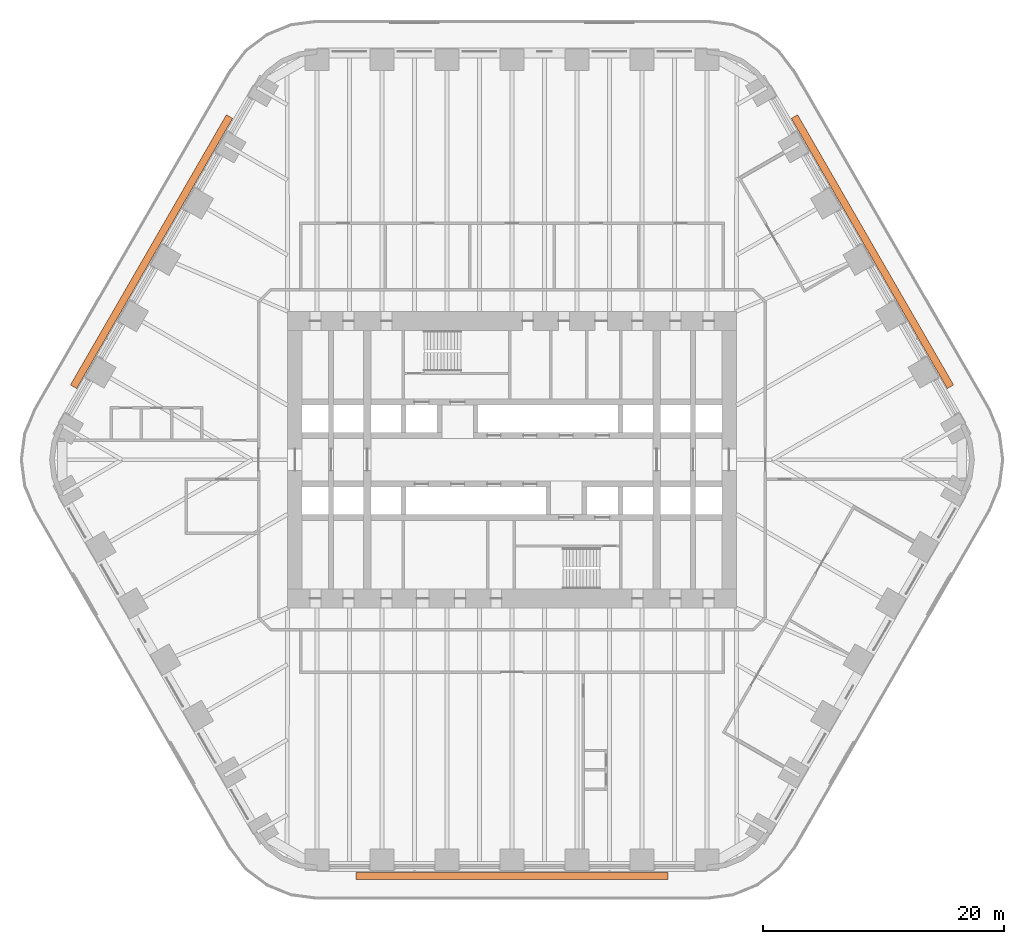
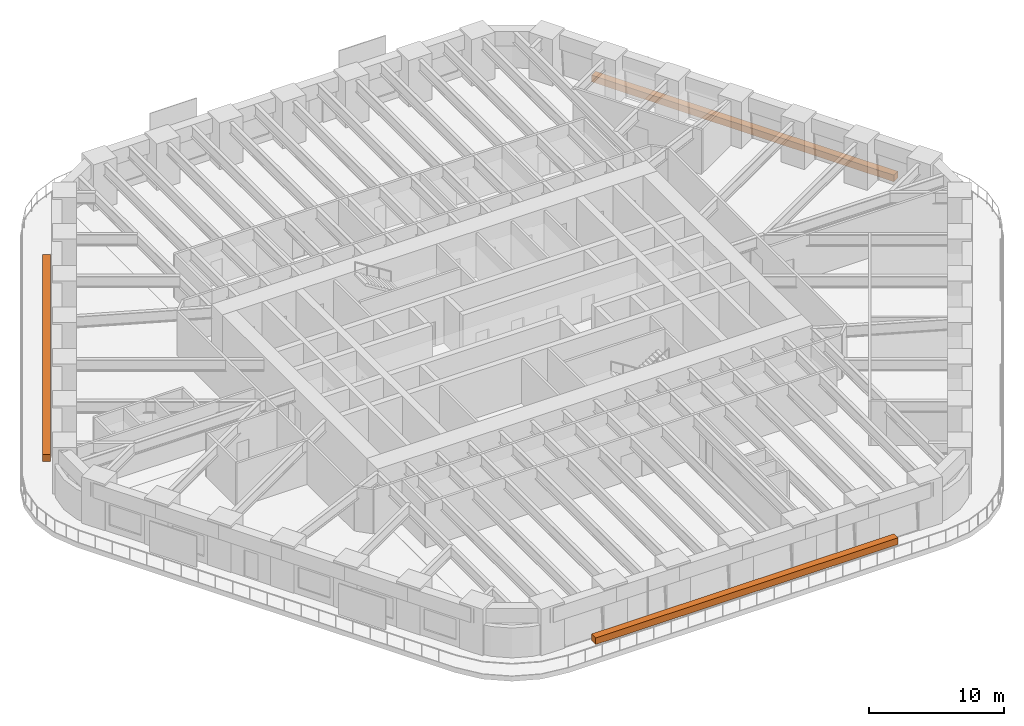
# One storey, part 23 of 23: 3 proxies.
"""IFC4 building model written with IfcOpenShell, lengths in metres."""

from ifc_helpers import new_model, si_unit, direction, frame, origin, origin_2d, place, context, subcontext, project, spatial, rectangle, extrude, material, element, save


model = new_model("IFC4")

# Units and contexts
model_context = context("Model", 3, precision=1e-05, world=origin(), true_north=direction((0.0, 1.0)))
body_context = subcontext(model_context, "Body", "Model", "MODEL_VIEW")
ifc_project = project(units=[si_unit("LENGTHUNIT", "METRE"), si_unit("AREAUNIT", "SQUARE_METRE"), si_unit("VOLUMEUNIT", "CUBIC_METRE"), si_unit("PLANEANGLEUNIT", "RADIAN"), si_unit("MASSUNIT", "GRAM", prefix="KILO")], contexts=[model_context])

# Site, building, storey
site_placement = place(None, origin())
site = spatial("IfcSite", under=ifc_project, at=site_placement, CompositionType="ELEMENT")
building_placement = place(site_placement, origin())
building = spatial("IfcBuilding", under=site, at=building_placement, Name="Tarfa Lantern Tower", CompositionType="ELEMENT")
storey_placement = place(building_placement, frame((0.0, 0.0, 57.10009765625)))
storey = spatial("IfcBuildingStorey", under=building, at=storey_placement, Name="L12", CompositionType="ELEMENT", Elevation=57.10009765625)

# Proxies
ifc_material = material(Name="Planting bed")
for number, where, z_axis, x_axis, name in (
    (1, (29.8779296875, 17.25, -0.000244140625), (0.0, 0.0, 1.0), (-0.5, 0.866025403784, 0.0), "Balcony planter"),
    (2, (-29.8779296875, 17.25, -0.000244140625), (0.0, 0.0, 1.0), (-0.5, -0.866025403784, 0.0), "Balcony planter"),
    (3, (0.0, -34.5, -0.000244140625), (0.0, 0.0, 1.0), (1.0, 0.0, 0.0), "Balcony planter"),
):
    element("IfcBuildingElementProxy", number, at=place(storey_placement, frame(where, z_axis=z_axis, x_axis=x_axis)), inside=storey, material=ifc_material, Name=name, ObjectType="PLANTER", PredefinedType="USERDEFINED", context=body_context, shape_type="SweptSolid", body=[
        extrude(rectangle(XDim=25.865234375, YDim=0.60009765625, at=origin_2d()), origin(), (0.0, 0.0, 1.0), 0.60009765625),
    ])

save(model, "model.ifc")
